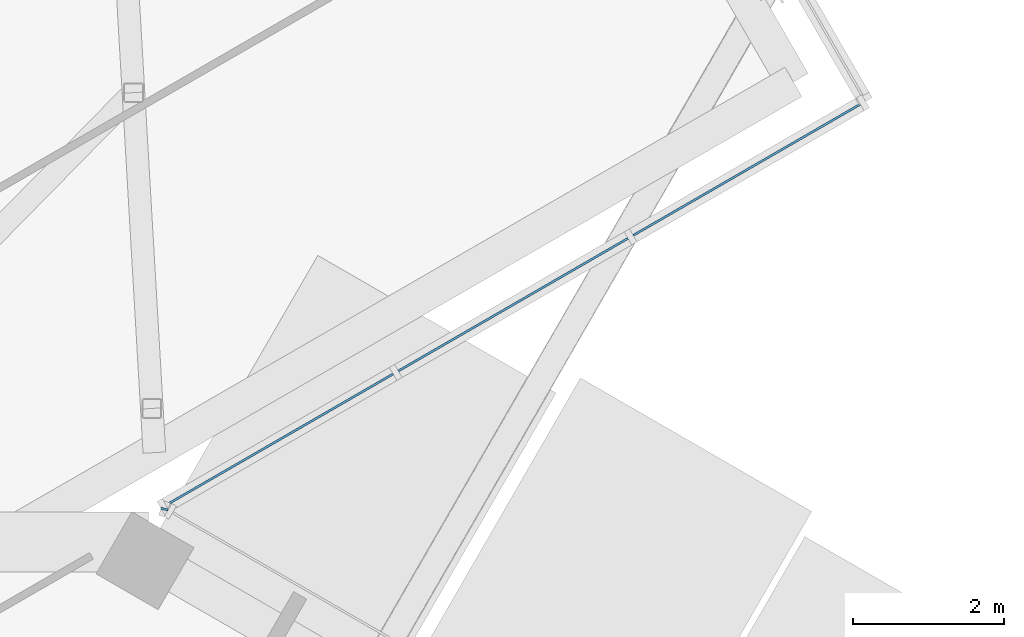
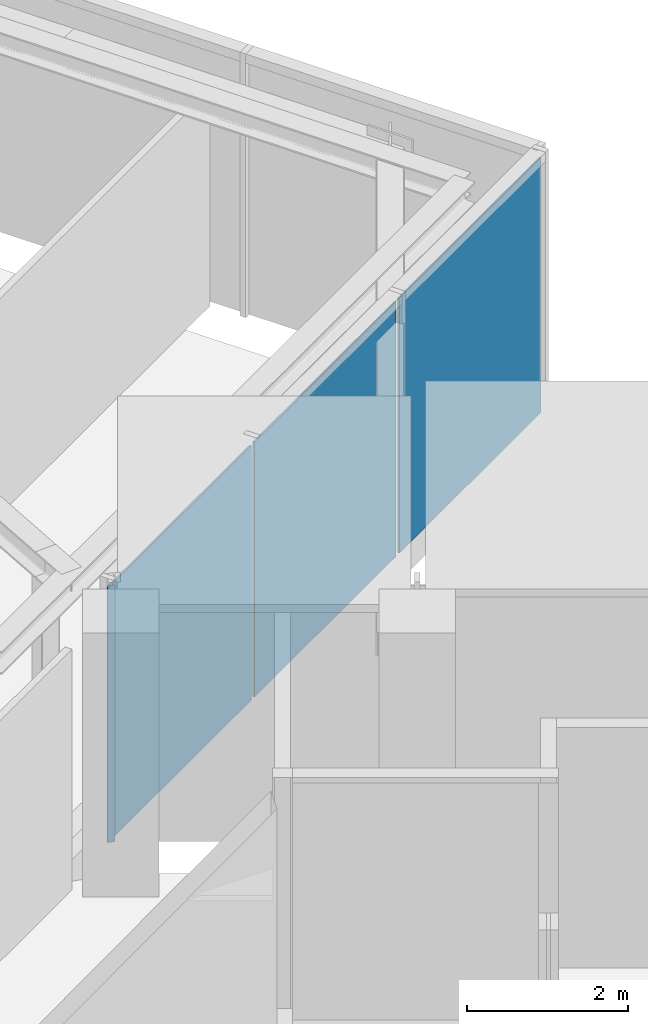
# One storey, part 17 of 27: 4 plates, 2 elements without a shape of their own.
"""IFC4 building model written with IfcOpenShell, lengths in metres."""

from ifc_helpers import new_model, si_unit, direction, frame, origin, origin_2d, place, context, subcontext, project, spatial, rectangle, extrude, material, layer, layer_set, type_object, element, aggregate, save


model = new_model("IFC4")

# Units and contexts
model_context = context("Model", 3, precision=1e-05, world=origin(), true_north=direction((0.0, 1.0)))
body_context = subcontext(model_context, "Body", "Model", "MODEL_VIEW")
ifc_project = project(units=[si_unit("LENGTHUNIT", "METRE"), si_unit("AREAUNIT", "SQUARE_METRE"), si_unit("VOLUMEUNIT", "CUBIC_METRE"), si_unit("PLANEANGLEUNIT", "RADIAN"), si_unit("MASSUNIT", "GRAM", prefix="KILO")], contexts=[model_context])

# Site, building, storey
site_placement = place(None, origin())
site = spatial("IfcSite", under=ifc_project, at=site_placement, CompositionType="ELEMENT")
building_placement = place(site_placement, origin())
building = spatial("IfcBuilding", under=site, at=building_placement, Name="Ayvan Gate Tower", CompositionType="ELEMENT")
storey_placement = place(building_placement, frame((0.0, 0.0, 194.699951171875)))
storey = spatial("IfcBuildingStorey", under=building, at=storey_placement, Name="L52", CompositionType="ELEMENT", Elevation=194.699951171875)

# Curtain wall, plates
ifc_material_1 = material(Name="Bronze anodised aluminium", Category="aluminium")
ifc_layer_1 = layer(ifc_material_1, 0.199951171875)
ifc_layer_set_1 = layer_set([ifc_layer_1], Name="Bronze anodised aluminium")
curtain_wall_type_1 = type_object("IfcCurtainWallType", Name="Stick curtain wall CW-4", PredefinedType="NOTDEFINED", material=ifc_layer_set_1)
curtain_wall_1_placement = place(storey_placement, origin())
curtain_wall_1 = element("IfcCurtainWall", 1, at=curtain_wall_1_placement, inside=storey, type_object=curtain_wall_type_1, Name="Stick curtain wall CW-4 L52", PredefinedType="NOTDEFINED")
ifc_material_2 = material(Name="Clear low-iron laminated glass", Category="glass")
ifc_layer_2 = layer(ifc_material_2, 0.028076171875)
ifc_layer_set_2 = layer_set([ifc_layer_2], Name="Clear low-iron laminated glass")
plate_type_1 = type_object("IfcPlateType", Name="Stick curtain wall CW-4 glass panel", PredefinedType="CURTAIN_PANEL", material=ifc_layer_set_2)
plate_1_placement = place(storey_placement, frame((2.498779296875, 21.287841796875, 0.0), z_axis=(0.0, 0.0, 1.0), x_axis=(0.866025403784, 0.5, 0.0)))
plate_1 = element("IfcPlate", 2, at=plate_1_placement, type_object=plate_type_1, Name="CW-4 glass panel 1", PredefinedType="CURTAIN_PANEL", context=body_context, shape_type="SweptSolid", body=[
    extrude(rectangle(XDim=3.516845703125, YDim=0.028076171875, at=origin_2d()), origin(), (0.0, 0.0, 1.0), 3.860107421875),
])
plate_2_placement = place(storey_placement, frame((5.613525390625, 23.08642578125, 0.0), z_axis=(0.0, 0.0, 1.0), x_axis=(0.866025403784, 0.5, 0.0)))
plate_2 = element("IfcPlate", 3, at=plate_2_placement, type_object=plate_type_1, Name="CW-4 glass panel 2", PredefinedType="CURTAIN_PANEL", context=body_context, shape_type="SweptSolid", body=[
    extrude(rectangle(XDim=3.516845703125, YDim=0.028076171875, at=origin_2d()), origin(), (0.0, 0.0, 1.0), 3.860107421875),
])
ifc_material_3 = material(Name="Pale anodised aluminium composite panel", Category="aluminium")
ifc_layer_3 = layer(ifc_material_3, 0.028076171875)
ifc_layer_set_3 = layer_set([ifc_layer_3], Name="Pale anodised aluminium composite panel")
plate_type_2 = type_object("IfcPlateType", Name="Stick curtain wall CW-4 solid panel", PredefinedType="CURTAIN_PANEL", material=ifc_layer_set_3)
plate_3_placement = place(storey_placement, frame((8.728515625, 24.884765625, 0.0), z_axis=(0.0, 0.0, 1.0), x_axis=(0.866025403784, 0.5, 0.0)))
plate_3 = element("IfcPlate", 4, at=plate_3_placement, type_object=plate_type_2, Name="CW-4 solid panel 3", PredefinedType="CURTAIN_PANEL", context=body_context, shape_type="SweptSolid", body=[
    extrude(rectangle(XDim=3.516845703125, YDim=0.028076171875, at=origin_2d()), origin(), (0.0, 0.0, 1.0), 3.860107421875),
])
aggregate(curtain_wall_1, [plate_1, plate_2, plate_3])

# Curtain wall, plate
ifc_layer_4 = layer(ifc_material_1, 0.199951171875)
ifc_layer_set_4 = layer_set([ifc_layer_4], Name="Bronze anodised aluminium")
curtain_wall_type_2 = type_object("IfcCurtainWallType", Name="Stick curtain wall CW-6", PredefinedType="NOTDEFINED", material=ifc_layer_set_4)
curtain_wall_2_placement = place(storey_placement, origin())
curtain_wall_2 = element("IfcCurtainWall", 5, at=curtain_wall_2_placement, inside=storey, type_object=curtain_wall_type_2, Name="Stick curtain wall CW-6 L52", PredefinedType="NOTDEFINED")
ifc_layer_5 = layer(ifc_material_2, 0.028076171875)
ifc_layer_set_5 = layer_set([ifc_layer_5], Name="Clear low-iron laminated glass")
plate_type_3 = type_object("IfcPlateType", Name="Stick curtain wall CW-6 glass panel", PredefinedType="CURTAIN_PANEL", material=ifc_layer_set_5)
plate_4_placement = place(storey_placement, frame((0.9892578125, 20.375732421875, 0.0), z_axis=(0.0, 0.0, 1.0), x_axis=(-0.965925826289, 0.258819045103, 0.0)))
plate_4 = element("IfcPlate", 6, at=plate_4_placement, type_object=plate_type_3, Name="CW-6 glass panel 1", PredefinedType="CURTAIN_PANEL", context=body_context, shape_type="SweptSolid", body=[
    extrude(rectangle(XDim=0.099365234375, YDim=0.028076171875, at=origin_2d()), origin(), (0.0, 0.0, 1.0), 3.8798828125),
])
aggregate(curtain_wall_2, [plate_4])

save(model, "model.ifc")
